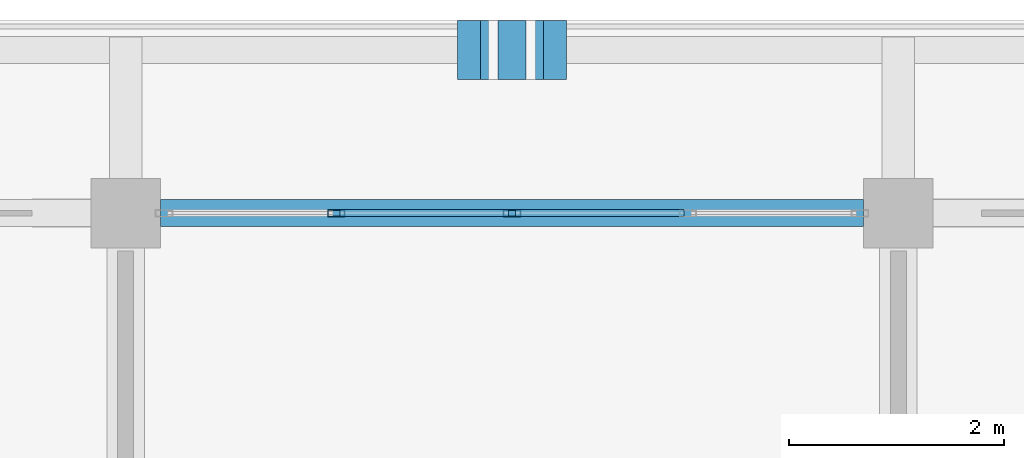
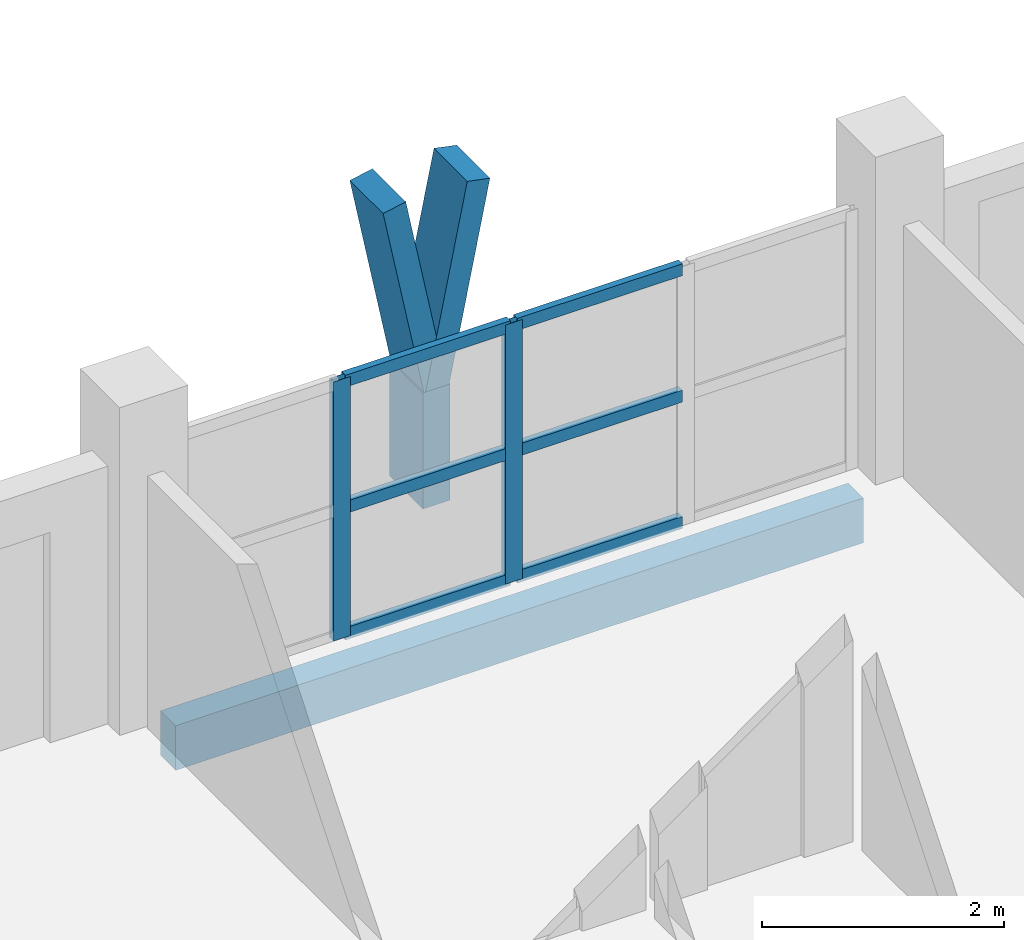
# One storey, part 16 of 75: 11 members, 1 beam, 1 element without a shape of its own.
"""IFC4 building model written with IfcOpenShell, lengths in metres."""

import ifcopenshell
import ifcopenshell.guid

model = None  # the IFC model being written
_history = None  # IfcOwnerHistory: only IFC2X3 demands one
_inside = {}  # id of a spatial element -> (the spatial element, [elements in it])
_under = {}  # id of a project, library or spatial element -> (it, [spatial elements below it])
_declared = {}  # id of a project -> (the project, [libraries it declares])
_typed = {}  # id of a type object -> (the type object, [elements of that type])
_made_of = {}  # id of a material, layer set ... -> (it, [elements and type objects made of it])


def new_model(schema):
    """Start an empty IFC model of exactly this schema.

    Asked for "IFC4X3", IfcOpenShell would pick the latest addendum, in which some entities
    have other attributes; the version numbers below select the first issue.
    IFC2X3 requires an IfcOwnerHistory on every rooted entity: one is made here for all.
    """
    global model, _history
    if schema == "IFC4X3":
        model = ifcopenshell.file(schema_version=(4, 3, 0, 0))
    else:
        model = ifcopenshell.file(schema=schema)
    _inside.clear()
    _under.clear()
    _declared.clear()
    _typed.clear()
    _made_of.clear()
    _history = None
    if model.schema == "IFC2X3":
        org = make("IfcOrganization", Name="unknown")
        user = make(
            "IfcPersonAndOrganization",
            ThePerson=make("IfcPerson", FamilyName="unknown"),
            TheOrganization=org,
        )
        app = make(
            "IfcApplication",
            ApplicationDeveloper=org,
            Version="unknown",
            ApplicationFullName="unknown",
            ApplicationIdentifier="unknown",
        )
        _history = make(
            "IfcOwnerHistory",
            OwningUser=user,
            OwningApplication=app,
            ChangeAction="ADDED",
            CreationDate=0,
        )
    return model


def make(cls, **values):
    """One entity of the class cls with the attributes given. An attribute that is None is left unset."""
    return model.create_entity(
        cls, **{name: value for name, value in values.items() if value is not None}
    )


def rooted(cls, **values):
    """An entity with a GlobalId (a new one), such as an element, a storey or a relation."""
    return make(cls, GlobalId=ifcopenshell.guid.new(), OwnerHistory=_history, **values)


def si_unit(unit_type, name, prefix=None):
    """IfcSIUnit, for example si_unit("LENGTHUNIT", "METRE", prefix="MILLI")."""
    return make("IfcSIUnit", UnitType=unit_type, Prefix=prefix, Name=name)


def assignment(units):
    """IfcUnitAssignment: the units of a project."""
    return None if units is None else make("IfcUnitAssignment", Units=units)


def point(xyz):
    """IfcCartesianPoint."""
    return None if xyz is None else make("IfcCartesianPoint", Coordinates=xyz)


def direction(xyz):
    """IfcDirection."""
    return None if xyz is None else make("IfcDirection", DirectionRatios=xyz)


def frame(location, z_axis=None, x_axis=None):
    """IfcAxis2Placement3D, a coordinate frame: its origin and axes. An axis left out is left unset."""
    return make(
        "IfcAxis2Placement3D",
        Location=point(location),
        Axis=direction(z_axis),
        RefDirection=direction(x_axis),
    )


def frame_2d(location, x_axis=None):
    """IfcAxis2Placement2D, a coordinate frame in the plane: its origin and x axis."""
    return make(
        "IfcAxis2Placement2D", Location=point(location), RefDirection=direction(x_axis)
    )


def origin():
    """The frame at (0, 0, 0) with its axes left unset."""
    return frame((0.0, 0.0, 0.0))


def origin_2d():
    """The frame at (0, 0) in the plane with its x axis left unset."""
    return frame_2d((0.0, 0.0))


def place(relative_to, where):
    """IfcLocalPlacement: puts the frame where relative to a parent placement (None: the world)."""
    return make(
        "IfcLocalPlacement", PlacementRelTo=relative_to, RelativePlacement=where
    )


def context(
    kind, dimensions, precision=None, world=None, true_north=None, identifier=None
):
    """IfcGeometricRepresentationContext, for example the 3D "Model" context."""
    return make(
        "IfcGeometricRepresentationContext",
        ContextIdentifier=identifier,
        ContextType=kind,
        CoordinateSpaceDimension=dimensions,
        Precision=precision,
        WorldCoordinateSystem=world,
        TrueNorth=true_north,
    )


def subcontext(parent, identifier, kind, view, scale=None):
    """IfcGeometricRepresentationSubContext, for example "Body" below "Model"."""
    return make(
        "IfcGeometricRepresentationSubContext",
        ContextIdentifier=identifier,
        ContextType=kind,
        ParentContext=parent,
        TargetScale=scale,
        TargetView=view,
    )


def project(units=None, contexts=None):
    """IfcProject with its units and contexts."""
    return rooted(
        "IfcProject",
        Name="project",
        RepresentationContexts=contexts,
        UnitsInContext=assignment(units),
    )


def spatial(cls, under=None, at=None, **own):
    """A site, building, storey or space (cls), placed at a placement, below another one or the project."""
    s = rooted(cls, ObjectPlacement=at, **own)
    if under is not None:
        _under.setdefault(under.id(), (under, []))[1].append(s)
    return s


def profile(cls, at=None, kind="AREA", **sizes):
    """A parametric profile (cls). Its sizes go by their IFC names, for example OverallWidth=200.0."""
    return make(cls, ProfileType=kind, Position=at, **sizes)


def rectangle(**sizes):
    """IfcRectangleProfileDef."""
    return profile("IfcRectangleProfileDef", **sizes)


def hollow_rectangle(**sizes):
    """IfcRectangleHollowProfileDef."""
    return profile("IfcRectangleHollowProfileDef", **sizes)


def extrude(swept, where, along, depth):
    """IfcExtrudedAreaSolid: the profile swept, set in the frame where, extruded along a direction by depth."""
    return make(
        "IfcExtrudedAreaSolid",
        SweptArea=swept,
        Position=where,
        ExtrudedDirection=direction(along),
        Depth=depth,
    )


def shape(context_of_items, identifier, shape_type, items):
    """IfcShapeRepresentation: the items that make up one representation, for example the "Body"."""
    return make(
        "IfcShapeRepresentation",
        ContextOfItems=context_of_items,
        RepresentationIdentifier=identifier,
        RepresentationType=shape_type,
        Items=items,
    )


def material(Name=None, Category=None):
    """IfcMaterial."""
    return make("IfcMaterial", Name=Name, Category=Category)


def material_profile(
    of_material, cross_section, Name=None, Category=None, Priority=None
):
    """IfcMaterialProfile: a cross section and its material."""
    return make(
        "IfcMaterialProfile",
        Name=Name,
        Material=of_material,
        Profile=cross_section,
        Priority=Priority,
        Category=Category,
    )


def profile_set(profiles, Name=None, composite=None):
    """IfcMaterialProfileSet."""
    return make(
        "IfcMaterialProfileSet",
        Name=Name,
        MaterialProfiles=profiles,
        CompositeProfile=composite,
    )


def made_of(thing, what):
    """Note that an element or type object is made of a material, layer set ...; save() writes the relation."""
    if what is not None:
        _made_of.setdefault(what.id(), (what, []))[1].append(thing)
    return thing


def type_object(cls, material=None, **own):
    """A type object (cls), such as IfcWallType, which elements share."""
    return made_of(rooted(cls, **own), material)


def element(
    cls,
    number,
    at=None,
    inside=None,
    cuts=None,
    type_object=None,
    material=None,
    context=None,
    identifier="Body",
    shape_type=None,
    held_by="IfcProductDefinitionShape",
    body=None,
    shapes=None,
    **own,
):
    """One element of the class cls, such as IfcWall. Its Tag is "e" and its number.

    at: its placement. inside: the storey or other place that contains it. cuts: it is an
    opening in that element (IfcRelVoidsElement). A single representation is given by context,
    identifier, shape_type and body (its items); several are given by shapes. held_by: the class
    of the entity that holds the representations. save() writes the other relations.
    """
    e = rooted(cls, Tag="e%d" % number, ObjectPlacement=at, **own)
    if body is not None:
        shapes = [shape(context, identifier, shape_type, body)]
    if shapes is not None:
        e.Representation = make(held_by, Representations=shapes)
    if inside is not None:
        _inside.setdefault(inside.id(), (inside, []))[1].append(e)
    if cuts is not None:
        rooted(
            "IfcRelVoidsElement", RelatingBuildingElement=cuts, RelatedOpeningElement=e
        )
    if type_object is not None:
        _typed.setdefault(type_object.id(), (type_object, []))[1].append(e)
    return made_of(e, material)


def aggregate(whole, parts):
    """IfcRelAggregates: a whole, such as a stair, and the parts it consists of."""
    return rooted("IfcRelAggregates", RelatingObject=whole, RelatedObjects=parts)


def save(model, path):
    """Write the relations noted so far, then the file.

    IfcRelAggregates (storeys below a building ...), IfcRelContainedInSpatialStructure (elements
    in a storey), IfcRelDefinesByType, IfcRelAssociatesMaterial and IfcRelDeclares: one each for
    every whole, place, type object, material and project.
    """
    for whole, parts in _under.values():
        aggregate(whole, parts)
    for where, things in _inside.values():
        rooted(
            "IfcRelContainedInSpatialStructure",
            RelatedElements=things,
            RelatingStructure=where,
        )
    for kind, things in _typed.values():
        rooted("IfcRelDefinesByType", RelatedObjects=things, RelatingType=kind)
    for what, things in _made_of.values():
        rooted("IfcRelAssociatesMaterial", RelatedObjects=things, RelatingMaterial=what)
    for by, libraries in _declared.values():
        rooted("IfcRelDeclares", RelatingContext=by, RelatedDefinitions=libraries)
    model.write(path)


model = new_model("IFC4")

# Units and contexts
model_context = context("Model", 3, precision=1e-05, world=origin(), true_north=direction((0.0, 1.0)))
body_context = subcontext(model_context, "Body", "Model", "MODEL_VIEW")
ifc_project = project(units=[si_unit("LENGTHUNIT", "METRE"), si_unit("AREAUNIT", "SQUARE_METRE"), si_unit("VOLUMEUNIT", "CUBIC_METRE"), si_unit("PLANEANGLEUNIT", "RADIAN"), si_unit("MASSUNIT", "GRAM", prefix="KILO")], contexts=[model_context])

# Site, building, storey
site_placement = place(None, origin())
site = spatial("IfcSite", under=ifc_project, at=site_placement, CompositionType="ELEMENT")
building_placement = place(site_placement, origin())
building = spatial("IfcBuilding", under=site, at=building_placement, Name="Suanplinth Sawtooth Commons", CompositionType="ELEMENT")
storey_placement = place(building_placement, frame((0.0, 0.0, 18.60009765625)))
storey = spatial("IfcBuildingStorey", under=building, at=storey_placement, Name="L05", CompositionType="ELEMENT", Elevation=18.60009765625)

# Beam
ifc_material_1 = material(Name="Precast concrete C40/50", Category="concrete")
ifc_material_profile_1 = material_profile(ifc_material_1, rectangle(XDim=0.25, YDim=0.449951171875, at=origin_2d()), Name="PC-SP 250x450")
ifc_profile_set_1 = profile_set([ifc_material_profile_1], Name="Precast concrete C40/50")
beam_type = type_object("IfcBeamType", Name="B-09", PredefinedType="SPANDREL", material=ifc_profile_set_1)
beam_placement = place(storey_placement, frame((57.925048828125, 122.39990234375, -0.47509765625), z_axis=(1.0, 0.0, 0.0), x_axis=(0.0, 1.0, 0.0)))
element("IfcBeam", 1, at=beam_placement, inside=storey, type_object=beam_type, Name="BMX-L05-A-8-17", PredefinedType="SPANDREL", context=body_context, shape_type="SweptSolid", body=[
    extrude(rectangle(XDim=0.25, YDim=0.449951171875, at=origin_2d()), origin(), (0.0, 0.0, 1.0), 6.550048828125),
])

# Members
ifc_material_2 = material(Name="Pigmented precast concrete C40/50", Category="concrete")
ifc_material_profile_2 = material_profile(ifc_material_2, rectangle(XDim=0.260009765625, YDim=0.550048828125, at=origin_2d()), Name="PC-FIN 260x550")
ifc_profile_set_2 = profile_set([ifc_material_profile_2], Name="Pigmented precast concrete C40/50")
member_type_1 = type_object("IfcMemberType", Name="M-09", PredefinedType="USERDEFINED", material=ifc_profile_set_2)
member_1_placement = place(storey_placement, frame((61.199951171875, 123.919921875, 0.0), z_axis=(0.0, 0.0, 1.0), x_axis=(1.0, 0.0, 0.0)))
element("IfcMember", 2, at=member_1_placement, inside=storey, type_object=member_type_1, Name="Y-Blade Stem L05-A-N-03", ObjectType="SHADING FIN", PredefinedType="USERDEFINED", context=body_context, shape_type="SweptSolid", body=[
    extrude(rectangle(XDim=0.260009765625, YDim=0.550048828125, at=origin_2d()), origin(), (0.0, 0.0, 1.0), 1.169921875),
])
ifc_material_profile_3 = material_profile(ifc_material_2, rectangle(XDim=0.219970703125, YDim=0.550048828125, at=origin_2d()), Name="PC-FIN 220x550")
ifc_profile_set_3 = profile_set([ifc_material_profile_3], Name="Pigmented precast concrete C40/50")
member_type_2 = type_object("IfcMemberType", Name="M-10", PredefinedType="USERDEFINED", material=ifc_profile_set_3)
for number, where, z_axis, x_axis, name in (
    (3, (61.199951171875, 123.919921875, 1.1298828125), (-0.196415357203, 0.0, 0.980520783795), (0.980520783795, 0.0, 0.196415357203), "Y-Blade Arm L L05-A-N-03"),
    (4, (61.199951171875, 123.919921875, 1.1298828125), (0.196530428008, 0.0, 0.98049772609), (-0.98049772609, 0.0, 0.196530428008), "Y-Blade Arm R L05-A-N-03"),
):
    element("IfcMember", number, at=place(storey_placement, frame(where, z_axis=z_axis, x_axis=x_axis)), inside=storey, type_object=member_type_2, Name=name, ObjectType="SHADING FIN", PredefinedType="USERDEFINED", context=body_context, shape_type="SweptSolid", body=[
        extrude(rectangle(XDim=0.219970703125, YDim=0.550048828125, at=origin_2d()), origin(), (0.0, 0.0, 1.0), 2.039794921875),
    ])

# Curtain wall, members
ifc_material_3 = material(Name="Anodized aluminium and low-E glazing", Category="aluminium")
curtain_wall_type = type_object("IfcCurtainWallType", Name="CW-06", PredefinedType="USERDEFINED", material=ifc_material_3)
curtain_wall_placement = place(storey_placement, origin())
curtain_wall = element("IfcCurtainWall", 5, at=curtain_wall_placement, inside=storey, type_object=curtain_wall_type, Name="Curtain Wall CW-L05-A-LOUNGE-8", ObjectType="CURTAIN WALL", PredefinedType="USERDEFINED")
ifc_material_4 = material(Name="Anodized aluminium 6063-T6", Category="aluminium")
ifc_material_profile_4 = material_profile(ifc_material_4, hollow_rectangle(XDim=0.06494140625, YDim=0.159912109375, WallThickness=0.00390625, at=origin_2d()), Name="ALU-MUL 65x160")
ifc_profile_set_4 = profile_set([ifc_material_profile_4], Name="Anodized aluminium 6063-T6")
member_type_3 = type_object("IfcMemberType", Name="M-13", PredefinedType="MULLION", material=ifc_profile_set_4)
member_2_placement = place(storey_placement, frame((59.5625, 122.39990234375, 0.0), z_axis=(0.0, 0.0, 1.0), x_axis=(0.0, 1.0, 0.0)))
member_2 = element("IfcMember", 6, at=member_2_placement, type_object=member_type_3, Name="CW-06 mullion 2", PredefinedType="MULLION", context=body_context, shape_type="SweptSolid", body=[
    extrude(hollow_rectangle(XDim=0.06494140625, YDim=0.159912109375, WallThickness=0.00390625, at=origin_2d()), origin(), (0.0, 0.0, 1.0), 2.60986328125),
])
member_3_placement = place(storey_placement, frame((61.199951171875, 122.39990234375, 0.0), z_axis=(0.0, 0.0, 1.0), x_axis=(0.0, 1.0, 0.0)))
member_3 = element("IfcMember", 7, at=member_3_placement, type_object=member_type_3, Name="CW-06 mullion 3", PredefinedType="MULLION", context=body_context, shape_type="SweptSolid", body=[
    extrude(hollow_rectangle(XDim=0.06494140625, YDim=0.159912109375, WallThickness=0.00390625, at=origin_2d()), origin(), (0.0, 0.0, 1.0), 2.60986328125),
])
ifc_material_profile_5 = material_profile(ifc_material_4, hollow_rectangle(XDim=0.06494140625, YDim=0.1201171875, WallThickness=0.00390625, at=origin_2d()), Name="ALU-TRN 65x120")
ifc_profile_set_5 = profile_set([ifc_material_profile_5], Name="Anodized aluminium 6063-T6")
member_type_4 = type_object("IfcMemberType", Name="M-15", PredefinedType="USERDEFINED", material=ifc_profile_set_5)
member_4_placement = place(storey_placement, frame((59.594970703125, 122.39990234375, 0.032470703125), z_axis=(1.0, 0.0, 0.0), x_axis=(0.0, 1.0, 0.0)))
member_4 = element("IfcMember", 8, at=member_4_placement, type_object=member_type_4, Name="CW-06 transom 2.1", ObjectType="TRANSOM", PredefinedType="USERDEFINED", context=body_context, shape_type="SweptSolid", body=[
    extrude(hollow_rectangle(XDim=0.06494140625, YDim=0.1201171875, WallThickness=0.00390625, at=origin_2d()), origin(), (0.0, 0.0, 1.0), 1.572509765625),
])
member_5_placement = place(storey_placement, frame((59.594970703125, 122.39990234375, 1.304931640625), z_axis=(1.0, 0.0, 0.0), x_axis=(0.0, 1.0, 0.0)))
member_5 = element("IfcMember", 9, at=member_5_placement, type_object=member_type_4, Name="CW-06 transom 2.2", ObjectType="TRANSOM", PredefinedType="USERDEFINED", context=body_context, shape_type="SweptSolid", body=[
    extrude(hollow_rectangle(XDim=0.06494140625, YDim=0.1201171875, WallThickness=0.00390625, at=origin_2d()), origin(), (0.0, 0.0, 1.0), 1.572509765625),
])
member_6_placement = place(storey_placement, frame((59.594970703125, 122.39990234375, 2.577392578125), z_axis=(1.0, 0.0, 0.0), x_axis=(0.0, 1.0, 0.0)))
member_6 = element("IfcMember", 10, at=member_6_placement, type_object=member_type_4, Name="CW-06 transom 2.3", ObjectType="TRANSOM", PredefinedType="USERDEFINED", context=body_context, shape_type="SweptSolid", body=[
    extrude(hollow_rectangle(XDim=0.06494140625, YDim=0.1201171875, WallThickness=0.00390625, at=origin_2d()), origin(), (0.0, 0.0, 1.0), 1.572509765625),
])
member_7_placement = place(storey_placement, frame((61.232421875, 122.39990234375, 0.032470703125), z_axis=(1.0, 0.0, 0.0), x_axis=(0.0, 1.0, 0.0)))
member_7 = element("IfcMember", 11, at=member_7_placement, type_object=member_type_4, Name="CW-06 transom 3.1", ObjectType="TRANSOM", PredefinedType="USERDEFINED", context=body_context, shape_type="SweptSolid", body=[
    extrude(hollow_rectangle(XDim=0.06494140625, YDim=0.1201171875, WallThickness=0.00390625, at=origin_2d()), origin(), (0.0, 0.0, 1.0), 1.572509765625),
])
member_8_placement = place(storey_placement, frame((61.232421875, 122.39990234375, 1.304931640625), z_axis=(1.0, 0.0, 0.0), x_axis=(0.0, 1.0, 0.0)))
member_8 = element("IfcMember", 12, at=member_8_placement, type_object=member_type_4, Name="CW-06 transom 3.2", ObjectType="TRANSOM", PredefinedType="USERDEFINED", context=body_context, shape_type="SweptSolid", body=[
    extrude(hollow_rectangle(XDim=0.06494140625, YDim=0.1201171875, WallThickness=0.00390625, at=origin_2d()), origin(), (0.0, 0.0, 1.0), 1.572509765625),
])
member_9_placement = place(storey_placement, frame((61.232421875, 122.39990234375, 2.577392578125), z_axis=(1.0, 0.0, 0.0), x_axis=(0.0, 1.0, 0.0)))
member_9 = element("IfcMember", 13, at=member_9_placement, type_object=member_type_4, Name="CW-06 transom 3.3", ObjectType="TRANSOM", PredefinedType="USERDEFINED", context=body_context, shape_type="SweptSolid", body=[
    extrude(hollow_rectangle(XDim=0.06494140625, YDim=0.1201171875, WallThickness=0.00390625, at=origin_2d()), origin(), (0.0, 0.0, 1.0), 1.572509765625),
])
aggregate(curtain_wall, [member_2, member_3, member_4, member_5, member_6, member_7, member_8, member_9])

save(model, "model.ifc")
